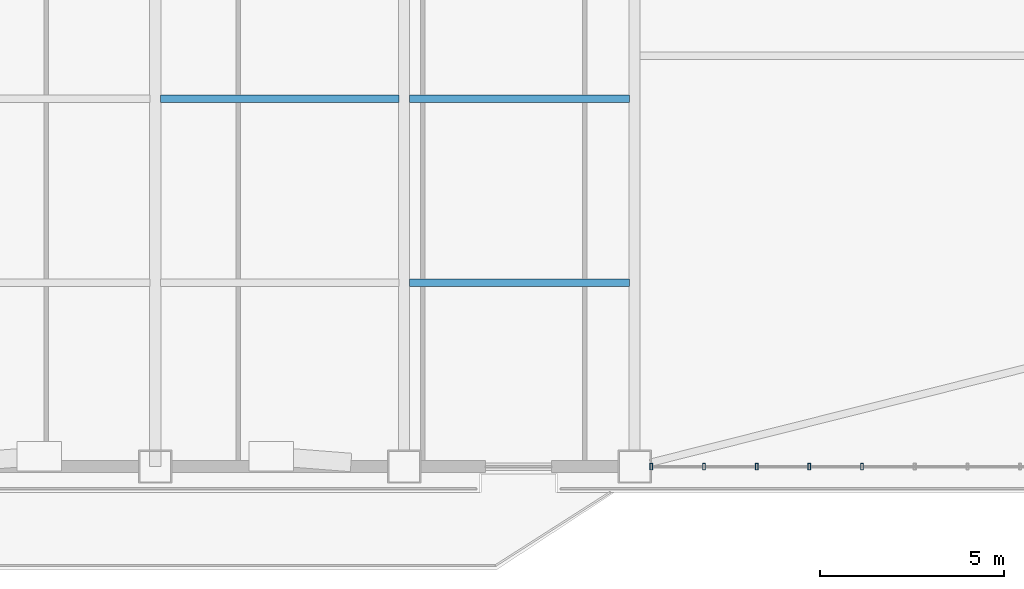
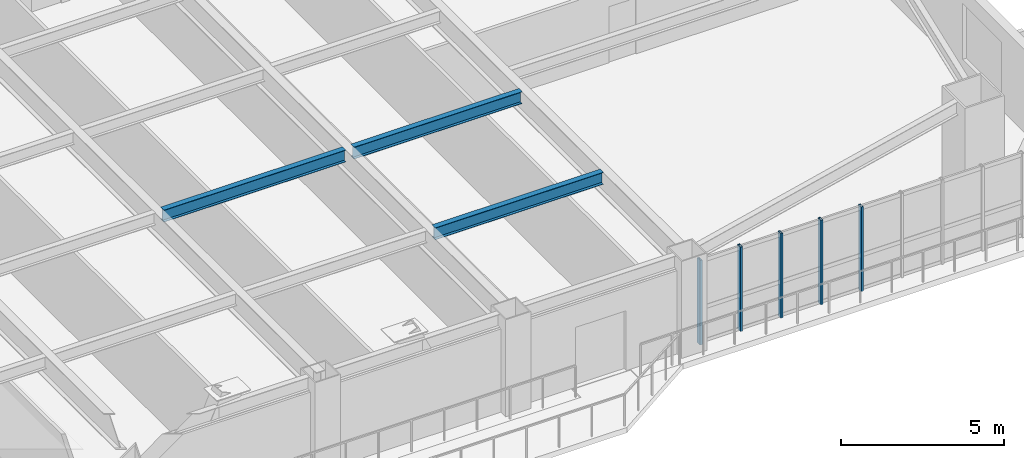
# One storey, part 4 of 15: 5 members, 3 beams, 1 element without a shape of its own.
"""IFC4 building model written with IfcOpenShell, lengths in metres."""

from ifc_helpers import new_model, si_unit, direction, frame, origin, origin_2d, place, context, subcontext, project, spatial, hollow_rectangle, i_section, extrude, source, transform, mapped, material, layer, layer_set, material_profile, profile_set, type_object, element, aggregate, save


model = new_model("IFC4")

# Units and contexts
model_context = context("Model", 3, precision=1e-05, world=origin(), true_north=direction((0.0, 1.0)))
body_context = subcontext(model_context, "Body", "Model", "MODEL_VIEW")
ifc_project = project(units=[si_unit("LENGTHUNIT", "METRE"), si_unit("AREAUNIT", "SQUARE_METRE"), si_unit("VOLUMEUNIT", "CUBIC_METRE"), si_unit("PLANEANGLEUNIT", "RADIAN"), si_unit("MASSUNIT", "GRAM", prefix="KILO")], contexts=[model_context])

# Site, building, storey
site_placement = place(None, origin())
site = spatial("IfcSite", under=ifc_project, at=site_placement, CompositionType="ELEMENT")
building_placement = place(site_placement, origin())
building = spatial("IfcBuilding", under=site, at=building_placement, Name="Giltprow Tower", CompositionType="ELEMENT")
storey_placement = place(building_placement, frame((0.0, 0.0, 127.0)))
storey = spatial("IfcBuildingStorey", under=building, at=storey_placement, Name="L31", CompositionType="ELEMENT", Elevation=127.0)

# Beams
ifc_material_1 = material(Name="Structural steel Q355B", Category="steel")
ifc_material_profile_1 = material_profile(ifc_material_1, i_section(OverallWidth=0.199951171875, OverallDepth=0.449951171875, WebThickness=0.009033203125, FlangeThickness=0.013916015625, at=origin_2d()), Name="HN 450x200x9x14")
ifc_profile_set_1 = profile_set([ifc_material_profile_1], Name="Structural steel Q355B")
beam_type = type_object("IfcBeamType", Name="BM-JOIST-HN450", PredefinedType="JOIST", material=ifc_profile_set_1)
shared_shape_1 = source(origin(), body_context, "Body", "SweptSolid", [
    extrude(i_section(OverallWidth=0.199951171875, OverallDepth=0.449951171875, WebThickness=0.009033203125, FlangeThickness=0.013916015625, at=origin_2d()), origin(), (0.0, 0.0, 1.0), 6.4599609375),
])
beam_placement = place(storey_placement, frame((37.695068359375, 17.4951171875, 3.4150390625), z_axis=(1.0, 0.0, 0.0), x_axis=(0.0, 1.0, 0.0)))
element("IfcBeam", 1, at=beam_placement, inside=storey, type_object=beam_type, Name="L31 Composite Floor Joist 2-3", PredefinedType="JOIST", context=body_context, shape_type="MappedRepresentation", body=[
    mapped(shared_shape_1, transform((0.0, 0.0, 0.0), x_axis=(1.0, 0.0, 0.0), y_axis=(0.0, 1.0, 0.0), z_axis=(0.0, 0.0, 1.0), scale=1.0)),
])
shared_shape_2 = source(origin(), body_context, "Body", "SweptSolid", [
    extrude(i_section(OverallWidth=0.199951171875, OverallDepth=0.449951171875, WebThickness=0.009033203125, FlangeThickness=0.013916015625, at=origin_2d()), origin(), (0.0, 0.0, 1.0), 5.9599609375),
])
for number, where, z_axis, x_axis, name in (
    (2, (44.445068359375, 12.507080078125, 3.4150390625), (1.0, 0.0, 0.0), (0.0, 1.0, 0.0), "L31 Composite Floor Joist 1-4"),
    (3, (44.445068359375, 17.4951171875, 3.4150390625), (1.0, 0.0, 0.0), (0.0, 1.0, 0.0), "L31 Composite Floor Joist 2-4"),
):
    element("IfcBeam", number, at=place(storey_placement, frame(where, z_axis=z_axis, x_axis=x_axis)), inside=storey, type_object=beam_type, Name=name, PredefinedType="JOIST", context=body_context, shape_type="MappedRepresentation", body=[
        mapped(shared_shape_2, transform((0.0, 0.0, 0.0), x_axis=(1.0, 0.0, 0.0), y_axis=(0.0, 1.0, 0.0), z_axis=(0.0, 0.0, 1.0), scale=1.0)),
    ])

# Curtain wall, members
ifc_material_2 = material(Name="Anodized bronze", Category="metal")
ifc_layer = layer(ifc_material_2, 0.179931640625, Name="Anodized bronze")
ifc_layer_set = layer_set([ifc_layer], Name="Anodized bronze")
curtain_wall_type = type_object("IfcCurtainWallType", Name="CW-OFF-RECESSED", PredefinedType="NOTDEFINED", material=ifc_layer_set)
curtain_wall_placement = place(storey_placement, origin())
curtain_wall = element("IfcCurtainWall", 4, at=curtain_wall_placement, inside=storey, type_object=curtain_wall_type, Name="L31 South Recessed Curtain Wall 6", PredefinedType="NOTDEFINED")
ifc_material_profile_2 = material_profile(ifc_material_2, hollow_rectangle(XDim=0.074951171875, YDim=0.179931640625, WallThickness=0.008056640625, at=origin_2d()), Name="RHS 180x75x8")
ifc_profile_set_2 = profile_set([ifc_material_profile_2], Name="Anodized bronze")
member_type = type_object("IfcMemberType", Name="CW-MULLION-180x75", PredefinedType="MULLION", material=ifc_profile_set_2)
shared_shape_3 = source(origin(), body_context, "Body", "SweptSolid", [
    extrude(hollow_rectangle(XDim=0.074951171875, YDim=0.179931640625, WallThickness=0.008056640625, at=origin_2d()), origin(), (0.0, 0.0, 1.0), 3.175048828125),
])
member_1_placement = place(storey_placement, frame((51.0, 7.51806640625, -0.02001953125), z_axis=(0.0, 0.0, 1.0), x_axis=(1.0, 0.0, 0.0)))
member_1 = element("IfcMember", 5, at=member_1_placement, type_object=member_type, Name="L31 South Recessed Curtain Wall 6 Mullion 1", PredefinedType="MULLION", context=body_context, shape_type="MappedRepresentation", body=[
    mapped(shared_shape_3, transform((0.0, 0.0, 0.0), x_axis=(1.0, 0.0, 0.0), y_axis=(0.0, 1.0, 0.0), z_axis=(0.0, 0.0, 1.0), scale=1.0)),
])
member_2_placement = place(storey_placement, frame((52.428955078125, 7.51806640625, -0.02001953125), z_axis=(0.0, 0.0, 1.0), x_axis=(1.0, 0.0, 0.0)))
member_2 = element("IfcMember", 6, at=member_2_placement, type_object=member_type, Name="L31 South Recessed Curtain Wall 6 Mullion 2", PredefinedType="MULLION", context=body_context, shape_type="MappedRepresentation", body=[
    mapped(shared_shape_3, transform((0.0, 0.0, 0.0), x_axis=(1.0, 0.0, 0.0), y_axis=(0.0, 1.0, 0.0), z_axis=(0.0, 0.0, 1.0), scale=1.0)),
])
member_3_placement = place(storey_placement, frame((53.85791015625, 7.51806640625, -0.02001953125), z_axis=(0.0, 0.0, 1.0), x_axis=(1.0, 0.0, 0.0)))
member_3 = element("IfcMember", 7, at=member_3_placement, type_object=member_type, Name="L31 South Recessed Curtain Wall 6 Mullion 3", PredefinedType="MULLION", context=body_context, shape_type="MappedRepresentation", body=[
    mapped(shared_shape_3, transform((0.0, 0.0, 0.0), x_axis=(1.0, 0.0, 0.0), y_axis=(0.0, 1.0, 0.0), z_axis=(0.0, 0.0, 1.0), scale=1.0)),
])
member_4_placement = place(storey_placement, frame((55.285888671875, 7.51806640625, -0.02001953125), z_axis=(0.0, 0.0, 1.0), x_axis=(1.0, 0.0, 0.0)))
member_4 = element("IfcMember", 8, at=member_4_placement, type_object=member_type, Name="L31 South Recessed Curtain Wall 6 Mullion 4", PredefinedType="MULLION", context=body_context, shape_type="MappedRepresentation", body=[
    mapped(shared_shape_3, transform((0.0, 0.0, 0.0), x_axis=(1.0, 0.0, 0.0), y_axis=(0.0, 1.0, 0.0), z_axis=(0.0, 0.0, 1.0), scale=1.0)),
])
member_5_placement = place(storey_placement, frame((56.715087890625, 7.51806640625, -0.02001953125), z_axis=(0.0, 0.0, 1.0), x_axis=(1.0, 0.0, 0.0)))
member_5 = element("IfcMember", 9, at=member_5_placement, type_object=member_type, Name="L31 South Recessed Curtain Wall 6 Mullion 5", PredefinedType="MULLION", context=body_context, shape_type="MappedRepresentation", body=[
    mapped(shared_shape_3, transform((0.0, 0.0, 0.0), x_axis=(1.0, 0.0, 0.0), y_axis=(0.0, 1.0, 0.0), z_axis=(0.0, 0.0, 1.0), scale=1.0)),
])
aggregate(curtain_wall, [member_1, member_2, member_3, member_4, member_5])

save(model, "model.ifc")
